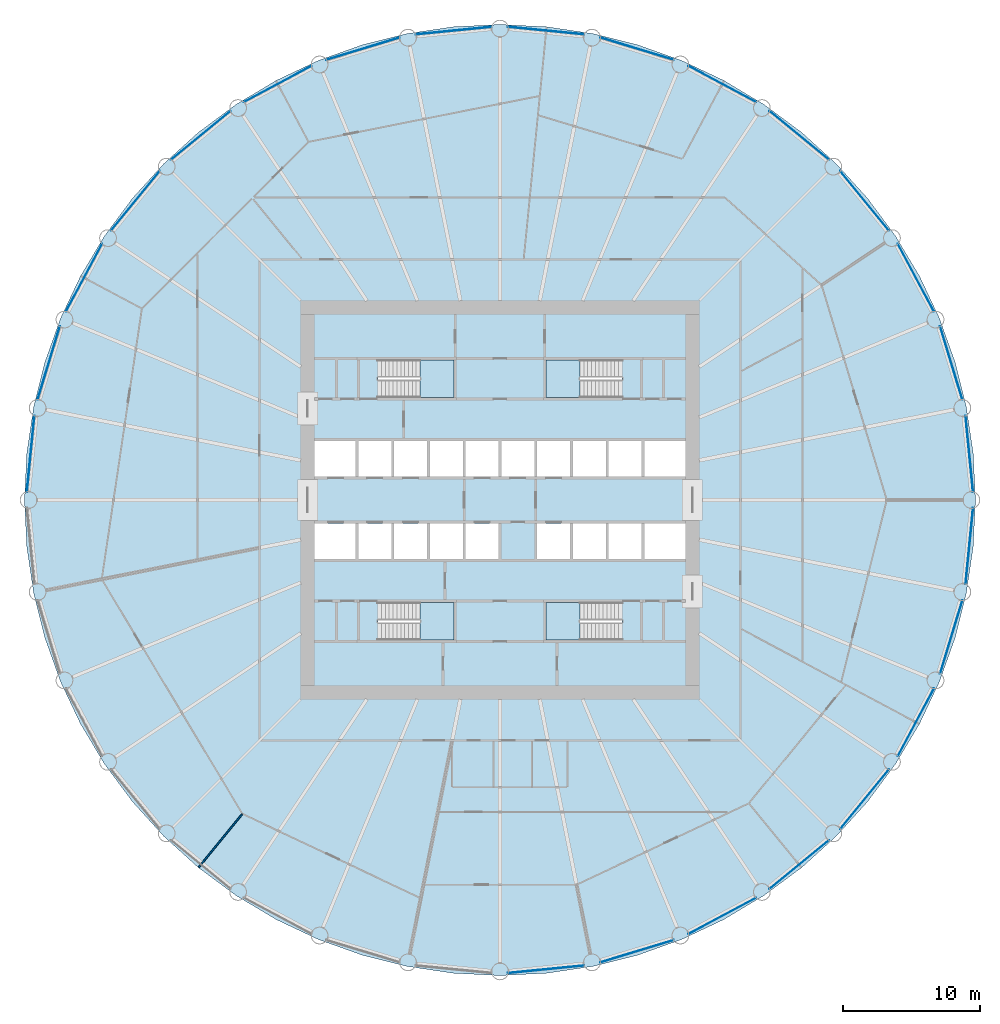
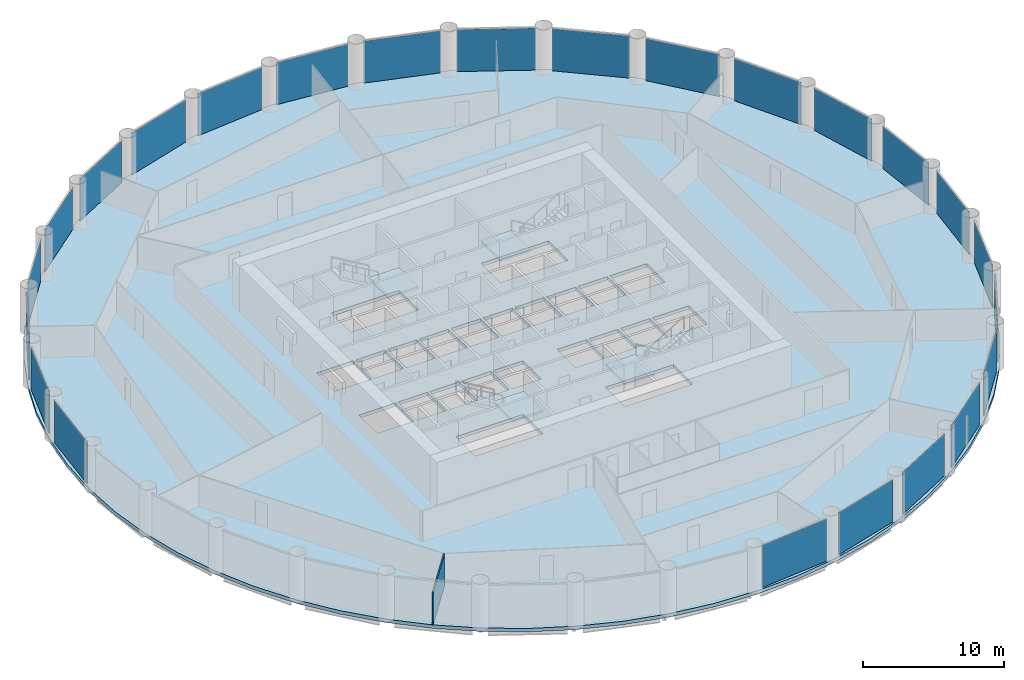
# One storey, part 3 of 8: 24 plates, 5 slabs, 1 wall, 28 elements without a shape of their own.
"""IFC4 building model written with IfcOpenShell, lengths in metres."""

import ifcopenshell
import ifcopenshell.guid

model = None  # the IFC model being written
_history = None  # IfcOwnerHistory: only IFC2X3 demands one
_inside = {}  # id of a spatial element -> (the spatial element, [elements in it])
_under = {}  # id of a project, library or spatial element -> (it, [spatial elements below it])
_declared = {}  # id of a project -> (the project, [libraries it declares])
_typed = {}  # id of a type object -> (the type object, [elements of that type])
_made_of = {}  # id of a material, layer set ... -> (it, [elements and type objects made of it])


def new_model(schema):
    """Start an empty IFC model of exactly this schema.

    Asked for "IFC4X3", IfcOpenShell would pick the latest addendum, in which some entities
    have other attributes; the version numbers below select the first issue.
    IFC2X3 requires an IfcOwnerHistory on every rooted entity: one is made here for all.
    """
    global model, _history
    if schema == "IFC4X3":
        model = ifcopenshell.file(schema_version=(4, 3, 0, 0))
    else:
        model = ifcopenshell.file(schema=schema)
    _inside.clear()
    _under.clear()
    _declared.clear()
    _typed.clear()
    _made_of.clear()
    _history = None
    if model.schema == "IFC2X3":
        org = make("IfcOrganization", Name="unknown")
        user = make(
            "IfcPersonAndOrganization",
            ThePerson=make("IfcPerson", FamilyName="unknown"),
            TheOrganization=org,
        )
        app = make(
            "IfcApplication",
            ApplicationDeveloper=org,
            Version="unknown",
            ApplicationFullName="unknown",
            ApplicationIdentifier="unknown",
        )
        _history = make(
            "IfcOwnerHistory",
            OwningUser=user,
            OwningApplication=app,
            ChangeAction="ADDED",
            CreationDate=0,
        )
    return model


def make(cls, **values):
    """One entity of the class cls with the attributes given. An attribute that is None is left unset."""
    return model.create_entity(
        cls, **{name: value for name, value in values.items() if value is not None}
    )


def rooted(cls, **values):
    """An entity with a GlobalId (a new one), such as an element, a storey or a relation."""
    return make(cls, GlobalId=ifcopenshell.guid.new(), OwnerHistory=_history, **values)


def si_unit(unit_type, name, prefix=None):
    """IfcSIUnit, for example si_unit("LENGTHUNIT", "METRE", prefix="MILLI")."""
    return make("IfcSIUnit", UnitType=unit_type, Prefix=prefix, Name=name)


def assignment(units):
    """IfcUnitAssignment: the units of a project."""
    return None if units is None else make("IfcUnitAssignment", Units=units)


def point(xyz):
    """IfcCartesianPoint."""
    return None if xyz is None else make("IfcCartesianPoint", Coordinates=xyz)


def direction(xyz):
    """IfcDirection."""
    return None if xyz is None else make("IfcDirection", DirectionRatios=xyz)


def frame(location, z_axis=None, x_axis=None):
    """IfcAxis2Placement3D, a coordinate frame: its origin and axes. An axis left out is left unset."""
    return make(
        "IfcAxis2Placement3D",
        Location=point(location),
        Axis=direction(z_axis),
        RefDirection=direction(x_axis),
    )


def frame_2d(location, x_axis=None):
    """IfcAxis2Placement2D, a coordinate frame in the plane: its origin and x axis."""
    return make(
        "IfcAxis2Placement2D", Location=point(location), RefDirection=direction(x_axis)
    )


def origin():
    """The frame at (0, 0, 0) with its axes left unset."""
    return frame((0.0, 0.0, 0.0))


def origin_2d():
    """The frame at (0, 0) in the plane with its x axis left unset."""
    return frame_2d((0.0, 0.0))


def place(relative_to, where):
    """IfcLocalPlacement: puts the frame where relative to a parent placement (None: the world)."""
    return make(
        "IfcLocalPlacement", PlacementRelTo=relative_to, RelativePlacement=where
    )


def context(
    kind, dimensions, precision=None, world=None, true_north=None, identifier=None
):
    """IfcGeometricRepresentationContext, for example the 3D "Model" context."""
    return make(
        "IfcGeometricRepresentationContext",
        ContextIdentifier=identifier,
        ContextType=kind,
        CoordinateSpaceDimension=dimensions,
        Precision=precision,
        WorldCoordinateSystem=world,
        TrueNorth=true_north,
    )


def subcontext(parent, identifier, kind, view, scale=None):
    """IfcGeometricRepresentationSubContext, for example "Body" below "Model"."""
    return make(
        "IfcGeometricRepresentationSubContext",
        ContextIdentifier=identifier,
        ContextType=kind,
        ParentContext=parent,
        TargetScale=scale,
        TargetView=view,
    )


def project(units=None, contexts=None):
    """IfcProject with its units and contexts."""
    return rooted(
        "IfcProject",
        Name="project",
        RepresentationContexts=contexts,
        UnitsInContext=assignment(units),
    )


def spatial(cls, under=None, at=None, **own):
    """A site, building, storey or space (cls), placed at a placement, below another one or the project."""
    s = rooted(cls, ObjectPlacement=at, **own)
    if under is not None:
        _under.setdefault(under.id(), (under, []))[1].append(s)
    return s


def polyline(points):
    """IfcPolyline through the points."""
    return make("IfcPolyline", Points=[point(p) for p in points])


def profile(cls, at=None, kind="AREA", **sizes):
    """A parametric profile (cls). Its sizes go by their IFC names, for example OverallWidth=200.0."""
    return make(cls, ProfileType=kind, Position=at, **sizes)


def rectangle(**sizes):
    """IfcRectangleProfileDef."""
    return profile("IfcRectangleProfileDef", **sizes)


def outline(outer, holes=None, kind="AREA"):
    """IfcArbitraryClosedProfileDef: a profile drawn as a closed curve; with holes, ...WithVoids."""
    if holes is None:
        return make("IfcArbitraryClosedProfileDef", ProfileType=kind, OuterCurve=outer)
    return make(
        "IfcArbitraryProfileDefWithVoids",
        ProfileType=kind,
        OuterCurve=outer,
        InnerCurves=holes,
    )


def extrude(swept, where, along, depth):
    """IfcExtrudedAreaSolid: the profile swept, set in the frame where, extruded along a direction by depth."""
    return make(
        "IfcExtrudedAreaSolid",
        SweptArea=swept,
        Position=where,
        ExtrudedDirection=direction(along),
        Depth=depth,
    )


def shape(context_of_items, identifier, shape_type, items):
    """IfcShapeRepresentation: the items that make up one representation, for example the "Body"."""
    return make(
        "IfcShapeRepresentation",
        ContextOfItems=context_of_items,
        RepresentationIdentifier=identifier,
        RepresentationType=shape_type,
        Items=items,
    )


def material(Name=None, Category=None):
    """IfcMaterial."""
    return make("IfcMaterial", Name=Name, Category=Category)


def layer(
    of_material, thickness, ventilated=None, Name=None, Category=None, Priority=None
):
    """IfcMaterialLayer: one layer of a wall or slab, of a material (None: an air gap)."""
    return make(
        "IfcMaterialLayer",
        Material=of_material,
        LayerThickness=thickness,
        IsVentilated=ventilated,
        Name=Name,
        Category=Category,
        Priority=Priority,
    )


def layer_set(layers, Name=None):
    """IfcMaterialLayerSet."""
    return make("IfcMaterialLayerSet", MaterialLayers=layers, LayerSetName=Name)


def made_of(thing, what):
    """Note that an element or type object is made of a material, layer set ...; save() writes the relation."""
    if what is not None:
        _made_of.setdefault(what.id(), (what, []))[1].append(thing)
    return thing


def type_object(cls, material=None, **own):
    """A type object (cls), such as IfcWallType, which elements share."""
    return made_of(rooted(cls, **own), material)


def element(
    cls,
    number,
    at=None,
    inside=None,
    cuts=None,
    type_object=None,
    material=None,
    context=None,
    identifier="Body",
    shape_type=None,
    held_by="IfcProductDefinitionShape",
    body=None,
    shapes=None,
    **own,
):
    """One element of the class cls, such as IfcWall. Its Tag is "e" and its number.

    at: its placement. inside: the storey or other place that contains it. cuts: it is an
    opening in that element (IfcRelVoidsElement). A single representation is given by context,
    identifier, shape_type and body (its items); several are given by shapes. held_by: the class
    of the entity that holds the representations. save() writes the other relations.
    """
    e = rooted(cls, Tag="e%d" % number, ObjectPlacement=at, **own)
    if body is not None:
        shapes = [shape(context, identifier, shape_type, body)]
    if shapes is not None:
        e.Representation = make(held_by, Representations=shapes)
    if inside is not None:
        _inside.setdefault(inside.id(), (inside, []))[1].append(e)
    if cuts is not None:
        rooted(
            "IfcRelVoidsElement", RelatingBuildingElement=cuts, RelatedOpeningElement=e
        )
    if type_object is not None:
        _typed.setdefault(type_object.id(), (type_object, []))[1].append(e)
    return made_of(e, material)


def aggregate(whole, parts):
    """IfcRelAggregates: a whole, such as a stair, and the parts it consists of."""
    return rooted("IfcRelAggregates", RelatingObject=whole, RelatedObjects=parts)


def save(model, path):
    """Write the relations noted so far, then the file.

    IfcRelAggregates (storeys below a building ...), IfcRelContainedInSpatialStructure (elements
    in a storey), IfcRelDefinesByType, IfcRelAssociatesMaterial and IfcRelDeclares: one each for
    every whole, place, type object, material and project.
    """
    for whole, parts in _under.values():
        aggregate(whole, parts)
    for where, things in _inside.values():
        rooted(
            "IfcRelContainedInSpatialStructure",
            RelatedElements=things,
            RelatingStructure=where,
        )
    for kind, things in _typed.values():
        rooted("IfcRelDefinesByType", RelatedObjects=things, RelatingType=kind)
    for what, things in _made_of.values():
        rooted("IfcRelAssociatesMaterial", RelatedObjects=things, RelatingMaterial=what)
    for by, libraries in _declared.values():
        rooted("IfcRelDeclares", RelatingContext=by, RelatedDefinitions=libraries)
    model.write(path)


model = new_model("IFC4")

# Units and contexts
model_context = context("Model", 3, precision=1e-05, world=origin(), true_north=direction((0.0, 1.0)))
body_context = subcontext(model_context, "Body", "Model", "MODEL_VIEW")
ifc_project = project(units=[si_unit("LENGTHUNIT", "METRE"), si_unit("AREAUNIT", "SQUARE_METRE"), si_unit("VOLUMEUNIT", "CUBIC_METRE"), si_unit("PLANEANGLEUNIT", "RADIAN"), si_unit("MASSUNIT", "GRAM", prefix="KILO")], contexts=[model_context])

# Site, building, storey
site_placement = place(None, origin())
site = spatial("IfcSite", under=ifc_project, at=site_placement, CompositionType="ELEMENT")
building_placement = place(site_placement, origin())
building = spatial("IfcBuilding", under=site, at=building_placement, Name="Corvane Civic Tower", CompositionType="ELEMENT")
storey_placement = place(building_placement, frame((0.0, 0.0, 126.5)))
storey = spatial("IfcBuildingStorey", under=building, at=storey_placement, Name="L29", CompositionType="ELEMENT", Elevation=126.5)

# Slab
ifc_material_1 = material(Name="Concrete C40/50", Category="concrete")
ifc_layer_1 = layer(ifc_material_1, 0.300048828125)
ifc_layer_set_1 = layer_set([ifc_layer_1], Name="Concrete C40/50")
slab_type_1 = type_object("IfcSlabType", Name="FLOOR SLAB 300", PredefinedType="FLOOR", material=ifc_layer_set_1)
slab_1_placement = place(storey_placement, frame((0.0, 0.0, -0.300048828125)))
element("IfcSlab", 1, at=slab_1_placement, inside=storey, type_object=slab_type_1, Name="SLB-L29", PredefinedType="FLOOR", context=body_context, shape_type="SweptSolid", body=[
    extrude(outline(polyline([(0.0, 34.60009765625), (-3.391357421875, 34.433349609375), (-6.750244140625, 33.93505859375), (-10.0439453125, 33.110107421875), (-13.240966796875, 31.96630859375), (-16.310302734375, 30.514404296875), (-19.22265625, 28.768798828125), (-21.949951171875, 26.74609375), (-24.4658203125, 24.4658203125), (-26.74609375, 21.949951171875), (-28.768798828125, 19.22265625), (-30.514404296875, 16.310302734375), (-31.96630859375, 13.240966796875), (-33.110107421875, 10.0439453125), (-33.93505859375, 6.750244140625), (-34.433349609375, 3.391357421875), (-34.60009765625, 0.0), (-34.433349609375, -3.391357421875), (-33.93505859375, -6.750244140625), (-33.110107421875, -10.0439453125), (-31.96630859375, -13.240966796875), (-30.514404296875, -16.310302734375), (-28.768798828125, -19.22265625), (-26.74609375, -21.949951171875), (-24.4658203125, -24.4658203125), (-21.949951171875, -26.74609375), (-19.22265625, -28.768798828125), (-16.310302734375, -30.514404296875), (-13.240966796875, -31.96630859375), (-10.0439453125, -33.110107421875), (-6.750244140625, -33.93505859375), (-3.391357421875, -34.433349609375), (0.0, -34.60009765625), (3.391357421875, -34.433349609375), (6.750244140625, -33.93505859375), (10.0439453125, -33.110107421875), (13.240966796875, -31.96630859375), (16.310302734375, -30.514404296875), (19.22265625, -28.768798828125), (21.949951171875, -26.74609375), (24.4658203125, -24.4658203125), (26.74609375, -21.949951171875), (28.768798828125, -19.22265625), (30.514404296875, -16.310302734375), (31.96630859375, -13.240966796875), (33.110107421875, -10.0439453125), (33.93505859375, -6.750244140625), (34.433349609375, -3.391357421875), (34.60009765625, 0.0), (34.433349609375, 3.391357421875), (33.93505859375, 6.750244140625), (33.110107421875, 10.0439453125), (31.96630859375, 13.240966796875), (30.514404296875, 16.310302734375), (28.768798828125, 19.22265625), (26.74609375, 21.949951171875), (24.4658203125, 24.4658203125), (21.949951171875, 26.74609375), (19.22265625, 28.768798828125), (16.310302734375, 30.514404296875), (13.240966796875, 31.96630859375), (10.0439453125, 33.110107421875), (6.750244140625, 33.93505859375), (3.391357421875, 34.433349609375), (0.0, 34.60009765625)]), holes=[polyline([(-13.5, 4.300048828125), (-10.5, 4.300048828125), (-10.5, 1.699951171875), (-13.5, 1.699951171875), (-13.5, 4.300048828125)]), polyline([(-7.89990234375, 1.699951171875), (-10.300048828125, 1.699951171875), (-10.300048828125, 4.300048828125), (-7.89990234375, 4.300048828125), (-7.89990234375, 1.699951171875)]), polyline([(-7.699951171875, 4.300048828125), (-5.300048828125, 4.300048828125), (-5.300048828125, 1.699951171875), (-7.699951171875, 1.699951171875), (-7.699951171875, 4.300048828125)]), polyline([(-5.10009765625, 4.300048828125), (-2.699951171875, 4.300048828125), (-2.699951171875, 1.699951171875), (-5.10009765625, 1.699951171875), (-5.10009765625, 4.300048828125)]), polyline([(-0.10009765625, 1.699951171875), (-2.5, 1.699951171875), (-2.5, 4.300048828125), (-0.10009765625, 4.300048828125), (-0.10009765625, 1.699951171875)]), polyline([(2.5, 1.699951171875), (0.10009765625, 1.699951171875), (0.10009765625, 4.300048828125), (2.5, 4.300048828125), (2.5, 1.699951171875)]), polyline([(2.699951171875, 4.300048828125), (5.10009765625, 4.300048828125), (5.10009765625, 1.699951171875), (2.699951171875, 1.699951171875), (2.699951171875, 4.300048828125)]), polyline([(5.300048828125, 4.300048828125), (7.699951171875, 4.300048828125), (7.699951171875, 1.699951171875), (5.300048828125, 1.699951171875), (5.300048828125, 4.300048828125)]), polyline([(7.89990234375, 4.300048828125), (10.300048828125, 4.300048828125), (10.300048828125, 1.699951171875), (7.89990234375, 1.699951171875), (7.89990234375, 4.300048828125)]), polyline([(13.5, 1.699951171875), (10.5, 1.699951171875), (10.5, 4.300048828125), (13.5, 4.300048828125), (13.5, 1.699951171875)]), polyline([(-13.5, -1.699951171875), (-10.5, -1.699951171875), (-10.5, -4.300048828125), (-13.5, -4.300048828125), (-13.5, -1.699951171875)]), polyline([(-7.89990234375, -1.699951171875), (-7.89990234375, -4.300048828125), (-10.300048828125, -4.300048828125), (-10.300048828125, -1.699951171875), (-7.89990234375, -1.699951171875)]), polyline([(-5.300048828125, -1.699951171875), (-5.300048828125, -4.300048828125), (-7.699951171875, -4.300048828125), (-7.699951171875, -1.699951171875), (-5.300048828125, -1.699951171875)]), polyline([(-5.10009765625, -4.300048828125), (-5.10009765625, -1.699951171875), (-2.699951171875, -1.699951171875), (-2.699951171875, -4.300048828125), (-5.10009765625, -4.300048828125)]), polyline([(-0.10009765625, -1.699951171875), (-0.10009765625, -4.300048828125), (-2.5, -4.300048828125), (-2.5, -1.699951171875), (-0.10009765625, -1.699951171875)]), polyline([(5.10009765625, -1.699951171875), (5.10009765625, -4.300048828125), (2.699951171875, -4.300048828125), (2.699951171875, -1.699951171875), (5.10009765625, -1.699951171875)]), polyline([(7.699951171875, -1.699951171875), (7.699951171875, -4.300048828125), (5.300048828125, -4.300048828125), (5.300048828125, -1.699951171875), (7.699951171875, -1.699951171875)]), polyline([(10.300048828125, -1.699951171875), (10.300048828125, -4.300048828125), (7.89990234375, -4.300048828125), (7.89990234375, -1.699951171875), (10.300048828125, -1.699951171875)]), polyline([(13.5, -4.300048828125), (10.5, -4.300048828125), (10.5, -1.699951171875), (13.5, -1.699951171875), (13.5, -4.300048828125)]), polyline([(8.889892578125, 10.199951171875), (8.889892578125, 7.449951171875), (3.35009765625, 7.449951171875), (3.35009765625, 10.199951171875), (8.889892578125, 10.199951171875)]), polyline([(-8.889892578125, 7.449951171875), (-8.889892578125, 10.199951171875), (-3.35009765625, 10.199951171875), (-3.35009765625, 7.449951171875), (-8.889892578125, 7.449951171875)]), polyline([(8.889892578125, -7.449951171875), (8.889892578125, -10.199951171875), (3.35009765625, -10.199951171875), (3.35009765625, -7.449951171875), (8.889892578125, -7.449951171875)]), polyline([(-8.889892578125, -10.199951171875), (-8.889892578125, -7.449951171875), (-3.35009765625, -7.449951171875), (-3.35009765625, -10.199951171875), (-8.889892578125, -10.199951171875)])]), origin(), (0.0, 0.0, 1.0), 0.300048828125),
])

# Stair, slab
ifc_material_2 = material(Name="Concrete C40/50", Category="concrete")
stair_type = type_object("IfcStairType", Name="ST-STAIR-HALFTURN", PredefinedType="HALF_TURN_STAIR", material=ifc_material_2)
stair_1_placement = place(storey_placement, origin())
stair_1 = element("IfcStair", 2, at=stair_1_placement, inside=storey, type_object=stair_type, Name="L29 Exit stair ST1", PredefinedType="HALF_TURN_STAIR")
ifc_material_3 = material(Name="Concrete C40/50", Category="concrete")
ifc_layer_2 = layer(ifc_material_3, 0.199951171875)
ifc_layer_set_2 = layer_set([ifc_layer_2], Name="Concrete C40/50")
slab_type_2 = type_object("IfcSlabType", Name="ST-LANDING-RC", PredefinedType="LANDING", material=ifc_layer_set_2)
slab_2_placement = place(storey_placement, frame((0.0, 0.0, 1.800048828125)))
slab_2 = element("IfcSlab", 3, at=slab_2_placement, type_object=slab_type_2, Name="ST1 landing 1", PredefinedType="LANDING", context=body_context, shape_type="SweptSolid", body=[
    extrude(outline(polyline([(5.820068359375, 10.199951171875), (3.35009765625, 10.199951171875), (3.35009765625, 7.449951171875), (5.820068359375, 7.449951171875), (5.820068359375, 10.199951171875)])), origin(), (0.0, 0.0, 1.0), 0.199951171875),
])
aggregate(stair_1, [slab_2])

stair_2_placement = place(storey_placement, origin())
stair_2 = element("IfcStair", 4, at=stair_2_placement, inside=storey, type_object=stair_type, Name="L29 Exit stair ST2", PredefinedType="HALF_TURN_STAIR")
slab_3_placement = place(storey_placement, frame((0.0, 0.0, 1.800048828125)))
slab_3 = element("IfcSlab", 5, at=slab_3_placement, type_object=slab_type_2, Name="ST2 landing 1", PredefinedType="LANDING", context=body_context, shape_type="SweptSolid", body=[
    extrude(outline(polyline([(5.820068359375, -7.449951171875), (3.35009765625, -7.449951171875), (3.35009765625, -10.199951171875), (5.820068359375, -10.199951171875), (5.820068359375, -7.449951171875)])), origin(), (0.0, 0.0, 1.0), 0.199951171875),
])
aggregate(stair_2, [slab_3])

stair_3_placement = place(storey_placement, origin())
stair_3 = element("IfcStair", 6, at=stair_3_placement, inside=storey, type_object=stair_type, Name="L29 Exit stair ST3", PredefinedType="HALF_TURN_STAIR")
slab_4_placement = place(storey_placement, frame((0.0, 0.0, 1.800048828125)))
slab_4 = element("IfcSlab", 7, at=slab_4_placement, type_object=slab_type_2, Name="ST3 landing 1", PredefinedType="LANDING", context=body_context, shape_type="SweptSolid", body=[
    extrude(outline(polyline([(-5.820068359375, -10.199951171875), (-3.35009765625, -10.199951171875), (-3.35009765625, -7.449951171875), (-5.820068359375, -7.449951171875), (-5.820068359375, -10.199951171875)])), origin(), (0.0, 0.0, 1.0), 0.199951171875),
])
aggregate(stair_3, [slab_4])

stair_4_placement = place(storey_placement, origin())
stair_4 = element("IfcStair", 8, at=stair_4_placement, inside=storey, type_object=stair_type, Name="L29 Exit stair ST4", PredefinedType="HALF_TURN_STAIR")
slab_5_placement = place(storey_placement, frame((0.0, 0.0, 1.800048828125)))
slab_5 = element("IfcSlab", 9, at=slab_5_placement, type_object=slab_type_2, Name="ST4 landing 1", PredefinedType="LANDING", context=body_context, shape_type="SweptSolid", body=[
    extrude(outline(polyline([(-5.820068359375, 7.449951171875), (-3.35009765625, 7.449951171875), (-3.35009765625, 10.199951171875), (-5.820068359375, 10.199951171875), (-5.820068359375, 7.449951171875)])), origin(), (0.0, 0.0, 1.0), 0.199951171875),
])
aggregate(stair_4, [slab_5])

# Curtain wall, plate
ifc_material_4 = material(Name="Anodised aluminium bronze", Category="aluminium")
curtain_wall_type = type_object("IfcCurtainWallType", Name="TOWER CW-T1 STICK CURTAIN WALL", PredefinedType="NOTDEFINED", material=ifc_material_4)
curtain_wall_1_placement = place(storey_placement, origin())
curtain_wall_1 = element("IfcCurtainWall", 10, at=curtain_wall_1_placement, inside=storey, type_object=curtain_wall_type, Name="Curtain wall CW-T1 L29 bay 01", PredefinedType="NOTDEFINED")
ifc_material_5 = material(Name="Tinted glass", Category="glass")
ifc_layer_3 = layer(ifc_material_5, 0.035888671875)
ifc_layer_set_3 = layer_set([ifc_layer_3], Name="Tinted glass")
plate_type = type_object("IfcPlateType", Name="TOWER CW-T1 PANEL IGU36", PredefinedType="CURTAIN_PANEL", material=ifc_layer_set_3)
plate_1_placement = place(storey_placement, frame((3.36328125, 34.148681640625, 0.0), z_axis=(0.0, 0.0, 1.0), x_axis=(0.995183788169, -0.098026668644, 0.0)))
plate_1 = element("IfcPlate", 11, at=plate_1_placement, type_object=plate_type, Name="Glass panel CW-T1 L29 01.1", PredefinedType="CURTAIN_PANEL", context=body_context, shape_type="SweptSolid", body=[
    extrude(rectangle(XDim=5.58642578125, YDim=0.035888671875, at=origin_2d()), origin(), (0.0, 0.0, 1.0), 3.6298828125),
])
aggregate(curtain_wall_1, [plate_1])

curtain_wall_2_placement = place(storey_placement, origin())
curtain_wall_2 = element("IfcCurtainWall", 12, at=curtain_wall_2_placement, inside=storey, type_object=curtain_wall_type, Name="Curtain wall CW-T1 L29 bay 02", PredefinedType="NOTDEFINED")
plate_2_placement = place(storey_placement, frame((9.9609375, 32.83642578125, 0.0), z_axis=(0.0, 0.0, 1.0), x_axis=(0.956945991488, -0.290266032073, 0.0)))
plate_2 = element("IfcPlate", 13, at=plate_2_placement, type_object=plate_type, Name="Glass panel CW-T1 L29 02.1", PredefinedType="CURTAIN_PANEL", context=body_context, shape_type="SweptSolid", body=[
    extrude(rectangle(XDim=5.58642578125, YDim=0.035888671875, at=origin_2d()), origin(), (0.0, 0.0, 1.0), 3.6298828125),
])
aggregate(curtain_wall_2, [plate_2])

curtain_wall_3_placement = place(storey_placement, origin())
curtain_wall_3 = element("IfcCurtainWall", 14, at=curtain_wall_3_placement, inside=storey, type_object=curtain_wall_type, Name="Curtain wall CW-T1 L29 bay 03", PredefinedType="NOTDEFINED")
plate_3_placement = place(storey_placement, frame((16.175537109375, 30.26220703125, 0.0), z_axis=(0.0, 0.0, 1.0), x_axis=(0.881923642976, -0.471392286699, 0.0)))
plate_3 = element("IfcPlate", 15, at=plate_3_placement, type_object=plate_type, Name="Glass panel CW-T1 L29 03.1", PredefinedType="CURTAIN_PANEL", context=body_context, shape_type="SweptSolid", body=[
    extrude(rectangle(XDim=5.586669921875, YDim=0.035888671875, at=origin_2d()), origin(), (0.0, 0.0, 1.0), 3.6298828125),
])
aggregate(curtain_wall_3, [plate_3])

curtain_wall_4_placement = place(storey_placement, origin())
curtain_wall_4 = element("IfcCurtainWall", 16, at=curtain_wall_4_placement, inside=storey, type_object=curtain_wall_type, Name="Curtain wall CW-T1 L29 bay 04", PredefinedType="NOTDEFINED")
plate_4_placement = place(storey_placement, frame((21.7685546875, 26.525146484375, 0.0), z_axis=(0.0, 0.0, 1.0), x_axis=(0.773013419843, -0.63438966948, 0.0)))
plate_4 = element("IfcPlate", 17, at=plate_4_placement, type_object=plate_type, Name="Glass panel CW-T1 L29 04.1", PredefinedType="CURTAIN_PANEL", context=body_context, shape_type="SweptSolid", body=[
    extrude(rectangle(XDim=5.58642578125, YDim=0.035888671875, at=origin_2d()), origin(), (0.0, 0.0, 1.0), 3.6298828125),
])
aggregate(curtain_wall_4, [plate_4])

curtain_wall_5_placement = place(storey_placement, origin())
curtain_wall_5 = element("IfcCurtainWall", 18, at=curtain_wall_5_placement, inside=storey, type_object=curtain_wall_type, Name="Curtain wall CW-T1 L29 bay 05", PredefinedType="NOTDEFINED")
plate_5_placement = place(storey_placement, frame((26.525146484375, 21.7685546875, 0.0), z_axis=(0.0, 0.0, 1.0), x_axis=(0.63438966948, -0.773013419843, 0.0)))
plate_5 = element("IfcPlate", 19, at=plate_5_placement, type_object=plate_type, Name="Glass panel CW-T1 L29 05.1", PredefinedType="CURTAIN_PANEL", context=body_context, shape_type="SweptSolid", body=[
    extrude(rectangle(XDim=5.58642578125, YDim=0.035888671875, at=origin_2d()), origin(), (0.0, 0.0, 1.0), 3.6298828125),
])
aggregate(curtain_wall_5, [plate_5])

curtain_wall_6_placement = place(storey_placement, origin())
curtain_wall_6 = element("IfcCurtainWall", 20, at=curtain_wall_6_placement, inside=storey, type_object=curtain_wall_type, Name="Curtain wall CW-T1 L29 bay 06", PredefinedType="NOTDEFINED")
plate_6_placement = place(storey_placement, frame((30.26220703125, 16.175537109375, 0.0), z_axis=(0.0, 0.0, 1.0), x_axis=(0.471392286699, -0.881923642976, 0.0)))
plate_6 = element("IfcPlate", 21, at=plate_6_placement, type_object=plate_type, Name="Glass panel CW-T1 L29 06.1", PredefinedType="CURTAIN_PANEL", context=body_context, shape_type="SweptSolid", body=[
    extrude(rectangle(XDim=5.586669921875, YDim=0.035888671875, at=origin_2d()), origin(), (0.0, 0.0, 1.0), 3.6298828125),
])
aggregate(curtain_wall_6, [plate_6])

curtain_wall_7_placement = place(storey_placement, origin())
curtain_wall_7 = element("IfcCurtainWall", 22, at=curtain_wall_7_placement, inside=storey, type_object=curtain_wall_type, Name="Curtain wall CW-T1 L29 bay 07", PredefinedType="NOTDEFINED")
plate_7_placement = place(storey_placement, frame((32.83642578125, 9.9609375, 0.0), z_axis=(0.0, 0.0, 1.0), x_axis=(0.290266032073, -0.956945991488, 0.0)))
plate_7 = element("IfcPlate", 23, at=plate_7_placement, type_object=plate_type, Name="Glass panel CW-T1 L29 07.1", PredefinedType="CURTAIN_PANEL", context=body_context, shape_type="SweptSolid", body=[
    extrude(rectangle(XDim=5.58642578125, YDim=0.035888671875, at=origin_2d()), origin(), (0.0, 0.0, 1.0), 3.6298828125),
])
aggregate(curtain_wall_7, [plate_7])

curtain_wall_8_placement = place(storey_placement, origin())
curtain_wall_8 = element("IfcCurtainWall", 24, at=curtain_wall_8_placement, inside=storey, type_object=curtain_wall_type, Name="Curtain wall CW-T1 L29 bay 08", PredefinedType="NOTDEFINED")
plate_8_placement = place(storey_placement, frame((34.148681640625, 3.36328125, 0.0), z_axis=(0.0, 0.0, 1.0), x_axis=(0.098026668644, -0.995183788169, 0.0)))
plate_8 = element("IfcPlate", 25, at=plate_8_placement, type_object=plate_type, Name="Glass panel CW-T1 L29 08.1", PredefinedType="CURTAIN_PANEL", context=body_context, shape_type="SweptSolid", body=[
    extrude(rectangle(XDim=5.58642578125, YDim=0.035888671875, at=origin_2d()), origin(), (0.0, 0.0, 1.0), 3.6298828125),
])
aggregate(curtain_wall_8, [plate_8])

curtain_wall_9_placement = place(storey_placement, origin())
curtain_wall_9 = element("IfcCurtainWall", 26, at=curtain_wall_9_placement, inside=storey, type_object=curtain_wall_type, Name="Curtain wall CW-T1 L29 bay 09", PredefinedType="NOTDEFINED")
plate_9_placement = place(storey_placement, frame((34.148681640625, -3.36328125, 0.0), z_axis=(0.0, 0.0, 1.0), x_axis=(-0.098026668644, -0.995183788169, 0.0)))
plate_9 = element("IfcPlate", 27, at=plate_9_placement, type_object=plate_type, Name="Glass panel CW-T1 L29 09.1", PredefinedType="CURTAIN_PANEL", context=body_context, shape_type="SweptSolid", body=[
    extrude(rectangle(XDim=5.58642578125, YDim=0.035888671875, at=origin_2d()), origin(), (0.0, 0.0, 1.0), 3.6298828125),
])
aggregate(curtain_wall_9, [plate_9])

curtain_wall_10_placement = place(storey_placement, origin())
curtain_wall_10 = element("IfcCurtainWall", 28, at=curtain_wall_10_placement, inside=storey, type_object=curtain_wall_type, Name="Curtain wall CW-T1 L29 bay 10", PredefinedType="NOTDEFINED")
plate_10_placement = place(storey_placement, frame((32.83642578125, -9.9609375, 0.0), z_axis=(0.0, 0.0, 1.0), x_axis=(-0.290266032073, -0.956945991488, 0.0)))
plate_10 = element("IfcPlate", 29, at=plate_10_placement, type_object=plate_type, Name="Glass panel CW-T1 L29 10.1", PredefinedType="CURTAIN_PANEL", context=body_context, shape_type="SweptSolid", body=[
    extrude(rectangle(XDim=5.58642578125, YDim=0.035888671875, at=origin_2d()), origin(), (0.0, 0.0, 1.0), 3.6298828125),
])
aggregate(curtain_wall_10, [plate_10])

curtain_wall_11_placement = place(storey_placement, origin())
curtain_wall_11 = element("IfcCurtainWall", 30, at=curtain_wall_11_placement, inside=storey, type_object=curtain_wall_type, Name="Curtain wall CW-T1 L29 bay 11", PredefinedType="NOTDEFINED")
plate_11_placement = place(storey_placement, frame((30.26220703125, -16.175537109375, 0.0), z_axis=(0.0, 0.0, 1.0), x_axis=(-0.471392286699, -0.881923642976, 0.0)))
plate_11 = element("IfcPlate", 31, at=plate_11_placement, type_object=plate_type, Name="Glass panel CW-T1 L29 11.1", PredefinedType="CURTAIN_PANEL", context=body_context, shape_type="SweptSolid", body=[
    extrude(rectangle(XDim=5.586669921875, YDim=0.035888671875, at=origin_2d()), origin(), (0.0, 0.0, 1.0), 3.6298828125),
])
aggregate(curtain_wall_11, [plate_11])

curtain_wall_12_placement = place(storey_placement, origin())
curtain_wall_12 = element("IfcCurtainWall", 32, at=curtain_wall_12_placement, inside=storey, type_object=curtain_wall_type, Name="Curtain wall CW-T1 L29 bay 12", PredefinedType="NOTDEFINED")
plate_12_placement = place(storey_placement, frame((26.525146484375, -21.7685546875, 0.0), z_axis=(0.0, 0.0, 1.0), x_axis=(-0.63438966948, -0.773013419843, 0.0)))
plate_12 = element("IfcPlate", 33, at=plate_12_placement, type_object=plate_type, Name="Glass panel CW-T1 L29 12.1", PredefinedType="CURTAIN_PANEL", context=body_context, shape_type="SweptSolid", body=[
    extrude(rectangle(XDim=5.58642578125, YDim=0.035888671875, at=origin_2d()), origin(), (0.0, 0.0, 1.0), 3.6298828125),
])
aggregate(curtain_wall_12, [plate_12])

curtain_wall_13_placement = place(storey_placement, origin())
curtain_wall_13 = element("IfcCurtainWall", 34, at=curtain_wall_13_placement, inside=storey, type_object=curtain_wall_type, Name="Curtain wall CW-T1 L29 bay 13", PredefinedType="NOTDEFINED")
plate_13_placement = place(storey_placement, frame((21.7685546875, -26.525146484375, 0.0), z_axis=(0.0, 0.0, 1.0), x_axis=(-0.773013419843, -0.63438966948, 0.0)))
plate_13 = element("IfcPlate", 35, at=plate_13_placement, type_object=plate_type, Name="Glass panel CW-T1 L29 13.1", PredefinedType="CURTAIN_PANEL", context=body_context, shape_type="SweptSolid", body=[
    extrude(rectangle(XDim=5.58642578125, YDim=0.035888671875, at=origin_2d()), origin(), (0.0, 0.0, 1.0), 3.6298828125),
])
aggregate(curtain_wall_13, [plate_13])

curtain_wall_14_placement = place(storey_placement, origin())
curtain_wall_14 = element("IfcCurtainWall", 36, at=curtain_wall_14_placement, inside=storey, type_object=curtain_wall_type, Name="Curtain wall CW-T1 L29 bay 14", PredefinedType="NOTDEFINED")
plate_14_placement = place(storey_placement, frame((16.175537109375, -30.26220703125, 0.0), z_axis=(0.0, 0.0, 1.0), x_axis=(-0.881923642976, -0.471392286699, 0.0)))
plate_14 = element("IfcPlate", 37, at=plate_14_placement, type_object=plate_type, Name="Glass panel CW-T1 L29 14.1", PredefinedType="CURTAIN_PANEL", context=body_context, shape_type="SweptSolid", body=[
    extrude(rectangle(XDim=5.586669921875, YDim=0.035888671875, at=origin_2d()), origin(), (0.0, 0.0, 1.0), 3.6298828125),
])
aggregate(curtain_wall_14, [plate_14])

curtain_wall_15_placement = place(storey_placement, origin())
curtain_wall_15 = element("IfcCurtainWall", 38, at=curtain_wall_15_placement, inside=storey, type_object=curtain_wall_type, Name="Curtain wall CW-T1 L29 bay 15", PredefinedType="NOTDEFINED")
plate_15_placement = place(storey_placement, frame((9.9609375, -32.83642578125, 0.0), z_axis=(0.0, 0.0, 1.0), x_axis=(-0.956945991488, -0.290266032073, 0.0)))
plate_15 = element("IfcPlate", 39, at=plate_15_placement, type_object=plate_type, Name="Glass panel CW-T1 L29 15.1", PredefinedType="CURTAIN_PANEL", context=body_context, shape_type="SweptSolid", body=[
    extrude(rectangle(XDim=5.58642578125, YDim=0.035888671875, at=origin_2d()), origin(), (0.0, 0.0, 1.0), 3.6298828125),
])
aggregate(curtain_wall_15, [plate_15])

curtain_wall_16_placement = place(storey_placement, origin())
curtain_wall_16 = element("IfcCurtainWall", 40, at=curtain_wall_16_placement, inside=storey, type_object=curtain_wall_type, Name="Curtain wall CW-T1 L29 bay 16", PredefinedType="NOTDEFINED")
plate_16_placement = place(storey_placement, frame((3.36328125, -34.148681640625, 0.0), z_axis=(0.0, 0.0, 1.0), x_axis=(-0.995183788169, -0.098026668644, 0.0)))
plate_16 = element("IfcPlate", 41, at=plate_16_placement, type_object=plate_type, Name="Glass panel CW-T1 L29 16.1", PredefinedType="CURTAIN_PANEL", context=body_context, shape_type="SweptSolid", body=[
    extrude(rectangle(XDim=5.58642578125, YDim=0.035888671875, at=origin_2d()), origin(), (0.0, 0.0, 1.0), 3.6298828125),
])
aggregate(curtain_wall_16, [plate_16])

curtain_wall_17_placement = place(storey_placement, origin())
curtain_wall_17 = element("IfcCurtainWall", 42, at=curtain_wall_17_placement, inside=storey, type_object=curtain_wall_type, Name="Curtain wall CW-T1 L29 bay 25", PredefinedType="NOTDEFINED")
plate_17_placement = place(storey_placement, frame((-34.148681640625, 3.36328125, 0.0), z_axis=(0.0, 0.0, 1.0), x_axis=(0.098026668644, 0.995183788169, 0.0)))
plate_17 = element("IfcPlate", 43, at=plate_17_placement, type_object=plate_type, Name="Glass panel CW-T1 L29 25.1", PredefinedType="CURTAIN_PANEL", context=body_context, shape_type="SweptSolid", body=[
    extrude(rectangle(XDim=5.58642578125, YDim=0.035888671875, at=origin_2d()), origin(), (0.0, 0.0, 1.0), 3.6298828125),
])
aggregate(curtain_wall_17, [plate_17])

curtain_wall_18_placement = place(storey_placement, origin())
curtain_wall_18 = element("IfcCurtainWall", 44, at=curtain_wall_18_placement, inside=storey, type_object=curtain_wall_type, Name="Curtain wall CW-T1 L29 bay 26", PredefinedType="NOTDEFINED")
plate_18_placement = place(storey_placement, frame((-32.83642578125, 9.9609375, 0.0), z_axis=(0.0, 0.0, 1.0), x_axis=(0.290266032073, 0.956945991488, 0.0)))
plate_18 = element("IfcPlate", 45, at=plate_18_placement, type_object=plate_type, Name="Glass panel CW-T1 L29 26.1", PredefinedType="CURTAIN_PANEL", context=body_context, shape_type="SweptSolid", body=[
    extrude(rectangle(XDim=5.58642578125, YDim=0.035888671875, at=origin_2d()), origin(), (0.0, 0.0, 1.0), 3.6298828125),
])
aggregate(curtain_wall_18, [plate_18])

curtain_wall_19_placement = place(storey_placement, origin())
curtain_wall_19 = element("IfcCurtainWall", 46, at=curtain_wall_19_placement, inside=storey, type_object=curtain_wall_type, Name="Curtain wall CW-T1 L29 bay 27", PredefinedType="NOTDEFINED")
plate_19_placement = place(storey_placement, frame((-30.26220703125, 16.175537109375, 0.0), z_axis=(0.0, 0.0, 1.0), x_axis=(0.471392286699, 0.881923642976, 0.0)))
plate_19 = element("IfcPlate", 47, at=plate_19_placement, type_object=plate_type, Name="Glass panel CW-T1 L29 27.1", PredefinedType="CURTAIN_PANEL", context=body_context, shape_type="SweptSolid", body=[
    extrude(rectangle(XDim=5.586669921875, YDim=0.035888671875, at=origin_2d()), origin(), (0.0, 0.0, 1.0), 3.6298828125),
])
aggregate(curtain_wall_19, [plate_19])

curtain_wall_20_placement = place(storey_placement, origin())
curtain_wall_20 = element("IfcCurtainWall", 48, at=curtain_wall_20_placement, inside=storey, type_object=curtain_wall_type, Name="Curtain wall CW-T1 L29 bay 28", PredefinedType="NOTDEFINED")
plate_20_placement = place(storey_placement, frame((-26.525146484375, 21.7685546875, 0.0), z_axis=(0.0, 0.0, 1.0), x_axis=(0.63438966948, 0.773013419843, 0.0)))
plate_20 = element("IfcPlate", 49, at=plate_20_placement, type_object=plate_type, Name="Glass panel CW-T1 L29 28.1", PredefinedType="CURTAIN_PANEL", context=body_context, shape_type="SweptSolid", body=[
    extrude(rectangle(XDim=5.58642578125, YDim=0.035888671875, at=origin_2d()), origin(), (0.0, 0.0, 1.0), 3.6298828125),
])
aggregate(curtain_wall_20, [plate_20])

curtain_wall_21_placement = place(storey_placement, origin())
curtain_wall_21 = element("IfcCurtainWall", 50, at=curtain_wall_21_placement, inside=storey, type_object=curtain_wall_type, Name="Curtain wall CW-T1 L29 bay 29", PredefinedType="NOTDEFINED")
plate_21_placement = place(storey_placement, frame((-21.7685546875, 26.525146484375, 0.0), z_axis=(0.0, 0.0, 1.0), x_axis=(0.773013419843, 0.63438966948, 0.0)))
plate_21 = element("IfcPlate", 51, at=plate_21_placement, type_object=plate_type, Name="Glass panel CW-T1 L29 29.1", PredefinedType="CURTAIN_PANEL", context=body_context, shape_type="SweptSolid", body=[
    extrude(rectangle(XDim=5.58642578125, YDim=0.035888671875, at=origin_2d()), origin(), (0.0, 0.0, 1.0), 3.6298828125),
])
aggregate(curtain_wall_21, [plate_21])

curtain_wall_22_placement = place(storey_placement, origin())
curtain_wall_22 = element("IfcCurtainWall", 52, at=curtain_wall_22_placement, inside=storey, type_object=curtain_wall_type, Name="Curtain wall CW-T1 L29 bay 30", PredefinedType="NOTDEFINED")
plate_22_placement = place(storey_placement, frame((-16.175537109375, 30.26220703125, 0.0), z_axis=(0.0, 0.0, 1.0), x_axis=(0.881923642976, 0.471392286699, 0.0)))
plate_22 = element("IfcPlate", 53, at=plate_22_placement, type_object=plate_type, Name="Glass panel CW-T1 L29 30.1", PredefinedType="CURTAIN_PANEL", context=body_context, shape_type="SweptSolid", body=[
    extrude(rectangle(XDim=5.586669921875, YDim=0.035888671875, at=origin_2d()), origin(), (0.0, 0.0, 1.0), 3.6298828125),
])
aggregate(curtain_wall_22, [plate_22])

curtain_wall_23_placement = place(storey_placement, origin())
curtain_wall_23 = element("IfcCurtainWall", 54, at=curtain_wall_23_placement, inside=storey, type_object=curtain_wall_type, Name="Curtain wall CW-T1 L29 bay 31", PredefinedType="NOTDEFINED")
plate_23_placement = place(storey_placement, frame((-9.9609375, 32.83642578125, 0.0), z_axis=(0.0, 0.0, 1.0), x_axis=(0.956945991488, 0.290266032073, 0.0)))
plate_23 = element("IfcPlate", 55, at=plate_23_placement, type_object=plate_type, Name="Glass panel CW-T1 L29 31.1", PredefinedType="CURTAIN_PANEL", context=body_context, shape_type="SweptSolid", body=[
    extrude(rectangle(XDim=5.58642578125, YDim=0.035888671875, at=origin_2d()), origin(), (0.0, 0.0, 1.0), 3.6298828125),
])
aggregate(curtain_wall_23, [plate_23])

curtain_wall_24_placement = place(storey_placement, origin())
curtain_wall_24 = element("IfcCurtainWall", 56, at=curtain_wall_24_placement, inside=storey, type_object=curtain_wall_type, Name="Curtain wall CW-T1 L29 bay 32", PredefinedType="NOTDEFINED")
plate_24_placement = place(storey_placement, frame((-3.36328125, 34.148681640625, 0.0), z_axis=(0.0, 0.0, 1.0), x_axis=(0.995183788169, 0.098026668644, 0.0)))
plate_24 = element("IfcPlate", 57, at=plate_24_placement, type_object=plate_type, Name="Glass panel CW-T1 L29 32.1", PredefinedType="CURTAIN_PANEL", context=body_context, shape_type="SweptSolid", body=[
    extrude(rectangle(XDim=5.58642578125, YDim=0.035888671875, at=origin_2d()), origin(), (0.0, 0.0, 1.0), 3.6298828125),
])
aggregate(curtain_wall_24, [plate_24])

# Wall
ifc_material_6 = material(Name="Plasterboard")
ifc_layer_4 = layer(ifc_material_6, 0.10009765625)
ifc_layer_set_4 = layer_set([ifc_layer_4], Name="Plasterboard")
wall_type = type_object("IfcWallType", Name="Partition 100 plasterboard on studs", PredefinedType="PARTITIONING", material=ifc_layer_set_4)
wall_placement = place(storey_placement, frame((-21.91845703125, -26.707763671875, 0.0), z_axis=(0.0, 0.0, 1.0), x_axis=(0.63436933627, 0.77303010627, 0.0)))
element("IfcWall", 58, at=wall_placement, inside=storey, type_object=wall_type, Name="Partition L29.006", PredefinedType="PARTITIONING", context=body_context, shape_type="SweptSolid", body=[
    extrude(rectangle(XDim=4.967041015625, YDim=0.10009765625, at=frame_2d((2.4833984375, 0.0))), origin(), (0.0, 0.0, 1.0), 2.699951171875),
])

save(model, "model.ifc")
